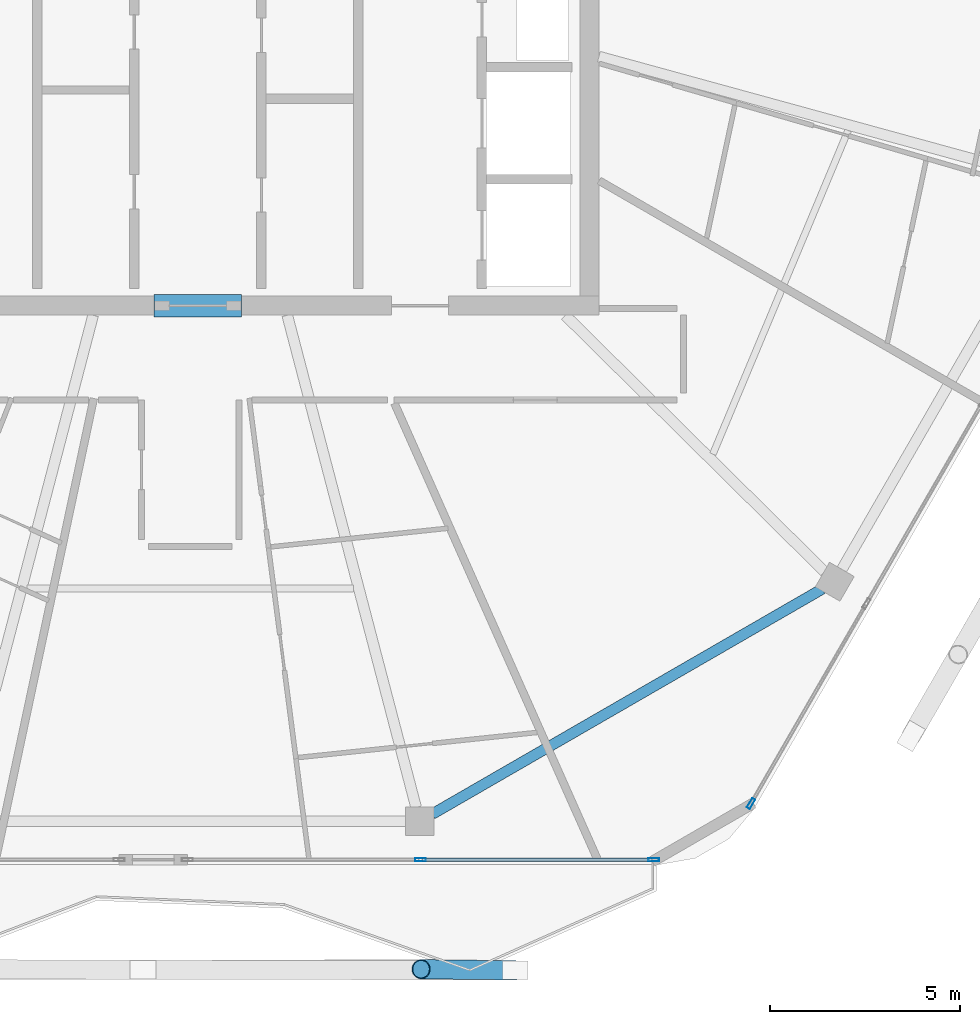
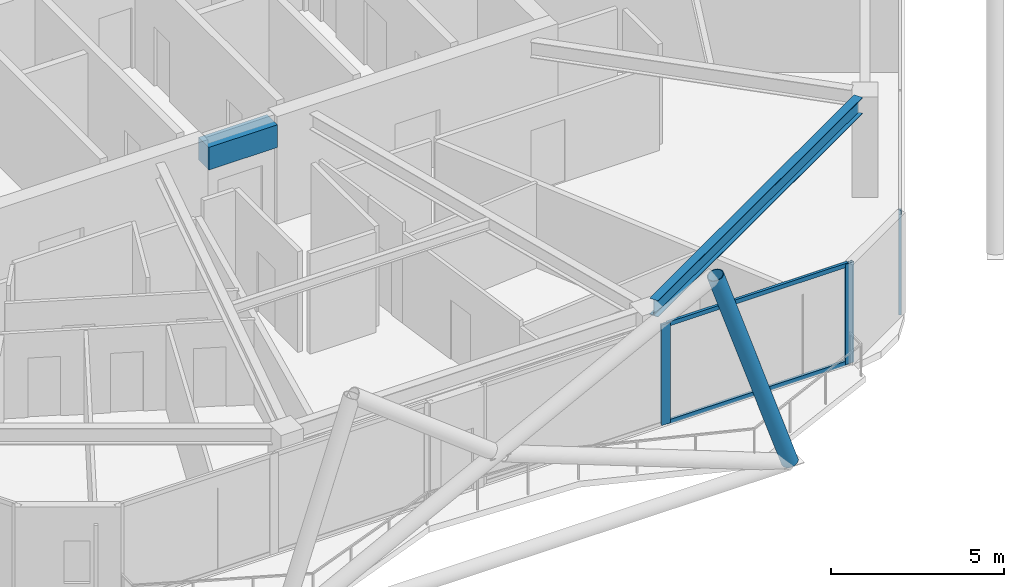
# One storey, part 6 of 23: 6 members, 2 beams, 2 elements without a shape of their own.
"""IFC4 building model written with IfcOpenShell, lengths in metres."""

from ifc_helpers import new_model, si_unit, direction, frame, origin, origin_2d, place, context, subcontext, project, spatial, rectangle, hollow_rectangle, hollow_circle, i_section, extrude, material, material_profile, profile_set, type_object, element, aggregate, save


model = new_model("IFC4")

# Units and contexts
model_context = context("Model", 3, precision=1e-05, world=origin(), true_north=direction((0.0, 1.0)))
body_context = subcontext(model_context, "Body", "Model", "MODEL_VIEW")
ifc_project = project(units=[si_unit("LENGTHUNIT", "METRE"), si_unit("AREAUNIT", "SQUARE_METRE"), si_unit("VOLUMEUNIT", "CUBIC_METRE"), si_unit("PLANEANGLEUNIT", "RADIAN"), si_unit("MASSUNIT", "GRAM", prefix="KILO")], contexts=[model_context])

# Site, building, storey
site_placement = place(None, origin())
site = spatial("IfcSite", under=ifc_project, at=site_placement, CompositionType="ELEMENT")
building_placement = place(site_placement, origin())
building = spatial("IfcBuilding", under=site, at=building_placement, Name="Zuhravey Tower", CompositionType="ELEMENT")
storey_placement = place(building_placement, frame((0.0, 0.0, 346.199951171875)))
storey = spatial("IfcBuildingStorey", under=building, at=storey_placement, Name="L88", CompositionType="ELEMENT", Elevation=346.199951171875)

# Beam
ifc_material_1 = material(Name="Concrete C50/60", Category="concrete")
ifc_material_profile_1 = material_profile(ifc_material_1, rectangle(XDim=0.60009765625, YDim=0.800048828125, at=origin_2d()), Name="RC-600x800")
ifc_profile_set_1 = profile_set([ifc_material_profile_1], Name="Concrete C50/60")
beam_type_1 = type_object("IfcBeamType", Name="Core Coupling Beam RC600x800", PredefinedType="LINTEL", material=ifc_profile_set_1)
beam_1_placement = place(storey_placement, frame((35.052001953125, 22.5, 3.150146484375), z_axis=(1.0, 0.0, 0.0), x_axis=(0.0, 1.0, 0.0)))
element("IfcBeam", 1, at=beam_1_placement, inside=storey, type_object=beam_type_1, Name="L88 CB2 BM-L88-CB-S", PredefinedType="LINTEL", context=body_context, shape_type="SweptSolid", body=[
    extrude(rectangle(XDim=0.60009765625, YDim=0.800048828125, at=origin_2d()), origin(), (0.0, 0.0, 1.0), 2.2958984375),
])

# Curtain wall, member
ifc_material_2 = material(Name="Thermally broken anodised aluminium", Category="aluminium")
curtain_wall_type = type_object("IfcCurtainWallType", Name="Zone 3-4 High-Rise Curtain Wall CW4", PredefinedType="NOTDEFINED", material=ifc_material_2)
curtain_wall_1_placement = place(storey_placement, origin())
curtain_wall_1 = element("IfcCurtainWall", 2, at=curtain_wall_1_placement, inside=storey, type_object=curtain_wall_type, Name="L88 CW4 CW-L88-F6-1", PredefinedType="NOTDEFINED")
ifc_material_3 = material(Name="Anodised aluminium", Category="aluminium")
ifc_material_profile_2 = material_profile(ifc_material_3, hollow_rectangle(XDim=0.090087890625, YDim=0.284912109375, WallThickness=0.0048828125, at=origin_2d()), Name="ALU-RHS-90x285x5")
ifc_profile_set_2 = profile_set([ifc_material_profile_2], Name="Anodised aluminium")
member_type_1 = type_object("IfcMemberType", Name="Curtain-Wall Mullion 90x180", PredefinedType="MULLION", material=ifc_profile_set_2)
member_1_placement = place(storey_placement, frame((50.751708984375, 9.40234375, 0.0), z_axis=(0.0, 0.0, 1.0), x_axis=(0.866025511541, -0.49999981336, 0.0)))
member_1 = element("IfcMember", 3, at=member_1_placement, type_object=member_type_1, Name="CW4 mullion 5", PredefinedType="MULLION", context=body_context, shape_type="SweptSolid", body=[
    extrude(hollow_rectangle(XDim=0.090087890625, YDim=0.284912109375, WallThickness=0.0048828125, at=origin_2d()), origin(), (0.0, 0.0, 1.0), 3.550048828125),
])
aggregate(curtain_wall_1, [member_1])

# Curtain wall, members
curtain_wall_2_placement = place(storey_placement, origin())
curtain_wall_2 = element("IfcCurtainWall", 4, at=curtain_wall_2_placement, inside=storey, type_object=curtain_wall_type, Name="L88 CW4 CW-L88-F5-1", PredefinedType="NOTDEFINED")
member_2_placement = place(storey_placement, frame((48.1943359375, 7.92578125, 0.0), z_axis=(0.0, 0.0, 1.0), x_axis=(0.0, -1.0, 0.0)))
member_2 = element("IfcMember", 5, at=member_2_placement, type_object=member_type_1, Name="CW4 mullion 1", PredefinedType="MULLION", context=body_context, shape_type="SweptSolid", body=[
    extrude(hollow_rectangle(XDim=0.090087890625, YDim=0.284912109375, WallThickness=0.0048828125, at=origin_2d()), origin(), (0.0, 0.0, 1.0), 3.550048828125),
])
member_3_placement = place(storey_placement, frame((42.05859375, 7.92578125, 0.0), z_axis=(0.0, 0.0, 1.0), x_axis=(0.0, -1.0, 0.0)))
member_3 = element("IfcMember", 6, at=member_3_placement, type_object=member_type_1, Name="CW4 mullion 2", PredefinedType="MULLION", context=body_context, shape_type="SweptSolid", body=[
    extrude(hollow_rectangle(XDim=0.090087890625, YDim=0.284912109375, WallThickness=0.0048828125, at=origin_2d()), origin(), (0.0, 0.0, 1.0), 3.550048828125),
])
ifc_material_profile_3 = material_profile(ifc_material_3, hollow_rectangle(XDim=0.090087890625, YDim=0.14990234375, WallThickness=0.0048828125, at=origin_2d()), Name="ALU-RHS-90x150x5")
ifc_profile_set_3 = profile_set([ifc_material_profile_3], Name="Anodised aluminium")
member_type_2 = type_object("IfcMemberType", Name="Curtain-Wall Transom 90x150", PredefinedType="USERDEFINED", material=ifc_profile_set_3)
member_4_placement = place(storey_placement, frame((48.1494140625, 7.92578125, 0.045166015625), z_axis=(-1.0, 0.0, 0.0), x_axis=(0.0, -1.0, 0.0)))
member_4 = element("IfcMember", 7, at=member_4_placement, type_object=member_type_2, Name="CW4 transom 1.1", ObjectType="TRANSOM", PredefinedType="USERDEFINED", context=body_context, shape_type="SweptSolid", body=[
    extrude(hollow_rectangle(XDim=0.090087890625, YDim=0.14990234375, WallThickness=0.0048828125, at=origin_2d()), origin(), (0.0, 0.0, 1.0), 6.045654296875),
])
member_5_placement = place(storey_placement, frame((48.1494140625, 7.92578125, 3.505126953125), z_axis=(-1.0, 0.0, 0.0), x_axis=(0.0, -1.0, 0.0)))
member_5 = element("IfcMember", 8, at=member_5_placement, type_object=member_type_2, Name="CW4 transom 1.2", ObjectType="TRANSOM", PredefinedType="USERDEFINED", context=body_context, shape_type="SweptSolid", body=[
    extrude(hollow_rectangle(XDim=0.090087890625, YDim=0.14990234375, WallThickness=0.0048828125, at=origin_2d()), origin(), (0.0, 0.0, 1.0), 6.045654296875),
])
aggregate(curtain_wall_2, [member_2, member_3, member_4, member_5])

# Member
ifc_material_4 = material(Name="Steel SM355", Category="steel")
ifc_material_profile_4 = material_profile(ifc_material_4, hollow_circle(Radius=0.25390625, WallThickness=0.02490234375, at=origin_2d()), Name="CHS-508.0x25")
ifc_profile_set_4 = profile_set([ifc_material_profile_4], Name="Steel SM355")
member_type_3 = type_object("IfcMemberType", Name="Exoskeleton Zone 4 Diagrid CHS508x25", PredefinedType="BRACE", material=ifc_profile_set_4)
member_6_placement = place(storey_placement, frame((44.544189453125, 5.015869140625, -0.447998046875), z_axis=(-0.315505389351, 0.003833563458, 0.948916041113), x_axis=(-0.012149651428, -0.999926190261, 0.0)))
element("IfcMember", 9, at=member_6_placement, inside=storey, type_object=member_type_3, Name="L88 Face 5 Diagrid Brace 4", PredefinedType="BRACE", context=body_context, shape_type="SweptSolid", body=[
    extrude(hollow_circle(Radius=0.25390625, WallThickness=0.02490234375, at=origin_2d()), origin(), (0.0, 0.0, 1.0), 7.833251953125),
])

# Beam
ifc_material_profile_5 = material_profile(ifc_material_4, i_section(OverallWidth=0.280029296875, OverallDepth=0.580078125, WebThickness=0.011962890625, FlangeThickness=0.01904296875, at=origin_2d()), Name="H-580x280x12x19")
ifc_profile_set_5 = profile_set([ifc_material_profile_5], Name="Steel SM355")
beam_type_2 = type_object("IfcBeamType", Name="Perimeter Ring Beam H580x280", PredefinedType="BEAM", material=ifc_profile_set_5)
beam_2_placement = place(storey_placement, frame((42.365966796875, 9.125, 3.260009765625), z_axis=(0.866030838723, 0.499990586292, 0.0), x_axis=(-0.499990586292, 0.866030838723, 0.0)))
element("IfcBeam", 10, at=beam_2_placement, inside=storey, type_object=beam_type_2, Name="L88 PB4 BM-L88-PB-10", PredefinedType="BEAM", context=body_context, shape_type="SweptSolid", body=[
    extrude(i_section(OverallWidth=0.280029296875, OverallDepth=0.580078125, WebThickness=0.011962890625, FlangeThickness=0.01904296875, at=origin_2d()), origin(), (0.0, 0.0, 1.0), 11.848876953125),
])

save(model, "model.ifc")
